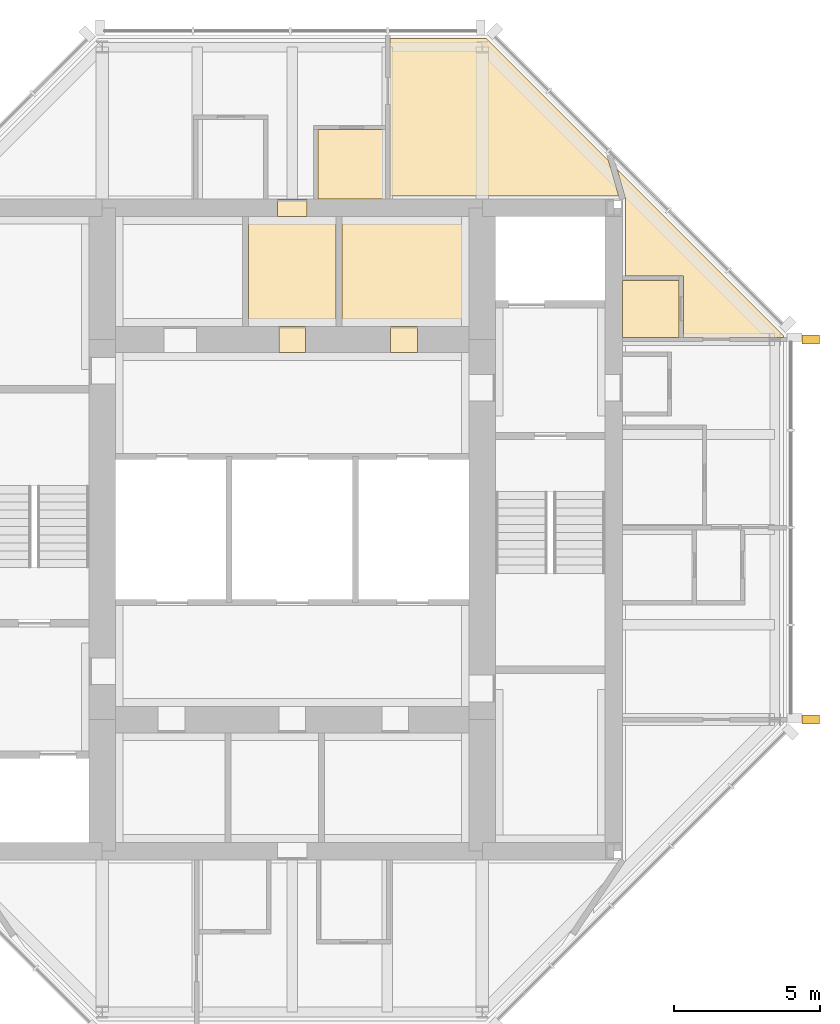
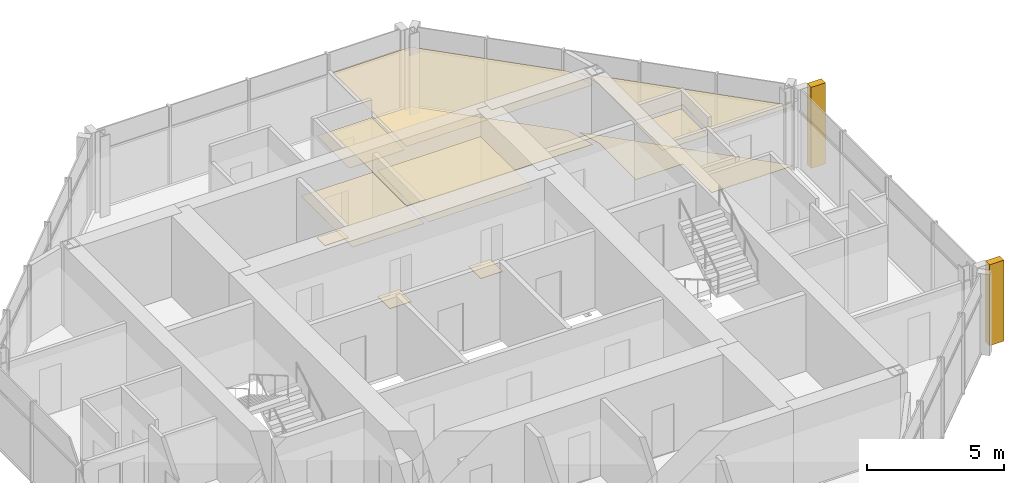
# One storey, part 9 of 9: 13 coverings.
"""IFC4 building model written with IfcOpenShell, lengths in metres."""

from ifc_helpers import new_model, si_unit, direction, frame, origin, origin_2d, place, context, subcontext, project, spatial, polyline, rectangle, outline, extrude, material, layer, layer_set, type_object, element, save


model = new_model("IFC4")

# Units and contexts
model_context = context("Model", 3, precision=1e-05, world=origin(), true_north=direction((0.0, 1.0)))
body_context = subcontext(model_context, "Body", "Model", "MODEL_VIEW")
ifc_project = project(units=[si_unit("LENGTHUNIT", "METRE"), si_unit("AREAUNIT", "SQUARE_METRE"), si_unit("VOLUMEUNIT", "CUBIC_METRE"), si_unit("PLANEANGLEUNIT", "RADIAN"), si_unit("MASSUNIT", "GRAM", prefix="KILO")], contexts=[model_context])

# Site, building, storey
site_placement = place(None, origin())
site = spatial("IfcSite", under=ifc_project, at=site_placement, CompositionType="ELEMENT")
building_placement = place(site_placement, origin())
building = spatial("IfcBuilding", under=site, at=building_placement, Name="Trevanion Tower", CompositionType="ELEMENT")
storey_placement = place(building_placement, frame((0.0, 0.0, 284.800048828125)))
storey = spatial("IfcBuildingStorey", under=building, at=storey_placement, Name="L70", CompositionType="ELEMENT", Elevation=284.800048828125)

# Coverings
ifc_material_1 = material(Name="Mineral fibre acoustic tiles in exposed grid", Category="mineral fibre")
ifc_layer_1 = layer(ifc_material_1, 0.02001953125)
ifc_layer_set_1 = layer_set([ifc_layer_1], Name="CL2 acoustic tile ceiling 20")
covering_type_1 = type_object("IfcCoveringType", Name="CL2 acoustic tile ceiling 20", PredefinedType="CEILING", material=ifc_layer_set_1)
covering_1_placement = place(storey_placement, frame((0.0, 0.0, 2.56005859375)))
element("IfcCovering", 1, at=covering_1_placement, inside=storey, type_object=covering_type_1, Name="CL2 L70-CNC", PredefinedType="CEILING", context=body_context, shape_type="SweptSolid", body=[
    extrude(outline(polyline([(1.5, 6.949951171875), (1.5, 10.699951171875), (-1.5, 10.699951171875), (-1.5, 6.949951171875), (1.5, 6.949951171875)])), origin(), (0.0, 0.0, 1.0), 0.019775390625),
])
ifc_material_2 = material(Name="Gypsum plasterboard on suspended metal furring", Category="gypsum")
ifc_layer_2 = layer(ifc_material_2, 0.012939453125)
ifc_layer_set_2 = layer_set([ifc_layer_2], Name="CL3 plasterboard ceiling 13")
covering_type_2 = type_object("IfcCoveringType", Name="CL3 plasterboard ceiling 13", PredefinedType="CEILING", material=ifc_layer_set_2)
covering_2_placement = place(storey_placement, frame((0.0, 0.0, 2.56689453125)))
element("IfcCovering", 2, at=covering_2_placement, inside=storey, type_object=covering_type_2, Name="CL3 L70-RSN", PredefinedType="CEILING", context=body_context, shape_type="SweptSolid", body=[
    extrude(outline(polyline([(6.050048828125, 6.949951171875), (6.050048828125, 10.699951171875), (1.699951171875, 10.699951171875), (1.699951171875, 6.949951171875), (6.050048828125, 6.949951171875)])), origin(), (0.0, 0.0, 1.0), 0.012939453125),
])
covering_3_placement = place(storey_placement, frame((0.0, 0.0, 2.640869140625)))
element("IfcCovering", 3, at=covering_3_placement, inside=storey, type_object=covering_type_2, Name="CL3 L70-REB2", PredefinedType="CEILING", context=body_context, shape_type="SweptSolid", body=[
    extrude(outline(polyline([(13.375, 6.574951171875), (13.375, 8.675048828125), (11.39990234375, 8.675048828125), (11.39990234375, 11.314208984375), (11.110595703125, 12.313720703125), (16.800048828125, 6.624267578125), (16.800048828125, 6.574951171875), (13.375, 6.574951171875)])), origin(), (0.0, 0.0, 1.0), 0.01318359375),
])
covering_4_placement = place(storey_placement, frame((0.0, 0.0, 2.640869140625)))
element("IfcCovering", 4, at=covering_4_placement, inside=storey, type_object=covering_type_2, Name="CL3 L70-RNB", PredefinedType="CEILING", context=body_context, shape_type="SweptSolid", body=[
    extrude(outline(polyline([(10.817626953125, 12.606689453125), (11.1669921875, 11.39990234375), (3.341064453125, 11.39990234375), (3.341064453125, 16.800048828125), (6.624267578125, 16.800048828125), (10.817626953125, 12.606689453125)])), origin(), (0.0, 0.0, 1.0), 0.01318359375),
])
ifc_material_3 = material(Name="Moisture-resistant gypsum board on suspended metal furring", Category="gypsum")
ifc_layer_3 = layer(ifc_material_3, 0.01611328125)
ifc_layer_set_3 = layer_set([ifc_layer_3], Name="CL4 moisture-resistant board ceiling 16")
covering_type_3 = type_object("IfcCoveringType", Name="CL4 moisture-resistant board ceiling 16", PredefinedType="CEILING", material=ifc_layer_set_3)
covering_5_placement = place(storey_placement, frame((0.0, 0.0, 2.599853515625)))
element("IfcCovering", 5, at=covering_5_placement, inside=storey, type_object=covering_type_3, Name="CL4 L70-REW", PredefinedType="CEILING", context=body_context, shape_type="SweptSolid", body=[
    extrude(outline(polyline([(13.22509765625, 6.574951171875), (13.22509765625, 8.52490234375), (11.300048828125, 8.52490234375), (11.300048828125, 6.574951171875), (13.22509765625, 6.574951171875)])), origin(), (0.0, 0.0, 1.0), 0.01611328125),
])
covering_6_placement = place(storey_placement, frame((0.0, 0.0, 2.599853515625)))
element("IfcCovering", 6, at=covering_6_placement, inside=storey, type_object=covering_type_3, Name="CL4 L70-RNT", PredefinedType="CEILING", context=body_context, shape_type="SweptSolid", body=[
    extrude(outline(polyline([(3.19091796875, 13.675048828125), (0.875, 13.675048828125), (0.875, 11.300048828125), (3.19091796875, 11.300048828125), (3.19091796875, 13.675048828125)])), origin(), (0.0, 0.0, 1.0), 0.01611328125),
])
ifc_material_4 = material(Name="Cast bronze fin on aluminium carrier", Category="aluminium")
covering_type_4 = type_object("IfcCoveringType", Name="F1 bronze fin", PredefinedType="CLADDING", material=ifc_material_4)
for number, where, z_axis, x_axis, name in (
    (7, (17.72509765625, -6.5, -0.190185546875), (0.0, 0.0, 1.0), (0.0, 1.0, 0.0), "F1 L70 east -6.5"),
    (8, (17.72509765625, 6.5, -0.190185546875), (0.0, 0.0, 1.0), (0.0, 1.0, 0.0), "F1 L70 east +6.5"),
):
    element("IfcCovering", number, at=place(storey_placement, frame(where, z_axis=z_axis, x_axis=x_axis)), inside=storey, type_object=covering_type_4, Name=name, PredefinedType="CLADDING", context=body_context, shape_type="SweptSolid", body=[
        extrude(rectangle(XDim=0.300048828125, YDim=0.60009765625, at=origin_2d()), origin(), (0.0, 0.0, 1.0), 3.60009765625),
    ])
ifc_material_5 = material(Name="Terrazzo, brass divider strips", Category="stone")
ifc_layer_4 = layer(ifc_material_5, 0.02001953125)
ifc_layer_set_4 = layer_set([ifc_layer_4], Name="FF1 terrazzo flooring")
covering_type_5 = type_object("IfcCoveringType", Name="FF1 terrazzo flooring", PredefinedType="FLOORING", material=ifc_layer_set_4)
covering_7_placement = place(storey_placement, origin())
element("IfcCovering", 9, at=covering_7_placement, inside=storey, type_object=covering_type_5, Name="FF1 threshold 70-017", PredefinedType="FLOORING", context=body_context, shape_type="SweptSolid", body=[
    extrude(outline(polyline([(0.45751953125, 6.949951171875), (-0.45751953125, 6.949951171875), (-0.45751953125, 6.050048828125), (0.45751953125, 6.050048828125), (0.45751953125, 6.949951171875)])), origin(), (0.0, 0.0, 1.0), 0.02001953125),
])
covering_8_placement = place(storey_placement, origin())
element("IfcCovering", 10, at=covering_8_placement, inside=storey, type_object=covering_type_5, Name="FF1 threshold 70-018", PredefinedType="FLOORING", context=body_context, shape_type="SweptSolid", body=[
    extrude(outline(polyline([(0.5, 11.300048828125), (-0.5, 11.300048828125), (-0.5, 10.699951171875), (0.5, 10.699951171875), (0.5, 11.300048828125)])), origin(), (0.0, 0.0, 1.0), 0.02001953125),
])
covering_9_placement = place(storey_placement, origin())
element("IfcCovering", 11, at=covering_9_placement, inside=storey, type_object=covering_type_5, Name="FF1 threshold 70-020", PredefinedType="FLOORING", context=body_context, shape_type="SweptSolid", body=[
    extrude(outline(polyline([(4.282470703125, 6.949951171875), (3.367431640625, 6.949951171875), (3.367431640625, 6.050048828125), (4.282470703125, 6.050048828125), (4.282470703125, 6.949951171875)])), origin(), (0.0, 0.0, 1.0), 0.02001953125),
])
ifc_material_6 = material(Name="Engineered oak", Category="wood")
ifc_layer_5 = layer(ifc_material_6, 0.014892578125)
ifc_layer_set_5 = layer_set([ifc_layer_5], Name="FF3 timber flooring")
covering_type_6 = type_object("IfcCoveringType", Name="FF3 timber flooring", PredefinedType="FLOORING", material=ifc_layer_set_5)
covering_10_placement = place(storey_placement, origin())
element("IfcCovering", 12, at=covering_10_placement, inside=storey, type_object=covering_type_6, Name="FF3 L70-REB2", PredefinedType="FLOORING", context=body_context, shape_type="SweptSolid", body=[
    extrude(outline(polyline([(13.375, 6.574951171875), (13.375, 8.675048828125), (11.39990234375, 8.675048828125), (11.39990234375, 11.314208984375), (11.110595703125, 12.313720703125), (16.800048828125, 6.624267578125), (16.800048828125, 6.574951171875), (13.375, 6.574951171875)])), origin(), (0.0, 0.0, 1.0), 0.014892578125),
])
covering_11_placement = place(storey_placement, origin())
element("IfcCovering", 13, at=covering_11_placement, inside=storey, type_object=covering_type_6, Name="FF3 L70-RNB", PredefinedType="FLOORING", context=body_context, shape_type="SweptSolid", body=[
    extrude(outline(polyline([(10.817626953125, 12.606689453125), (11.1669921875, 11.39990234375), (3.341064453125, 11.39990234375), (3.341064453125, 16.800048828125), (6.624267578125, 16.800048828125), (10.817626953125, 12.606689453125)])), origin(), (0.0, 0.0, 1.0), 0.014892578125),
])

save(model, "model.ifc")
